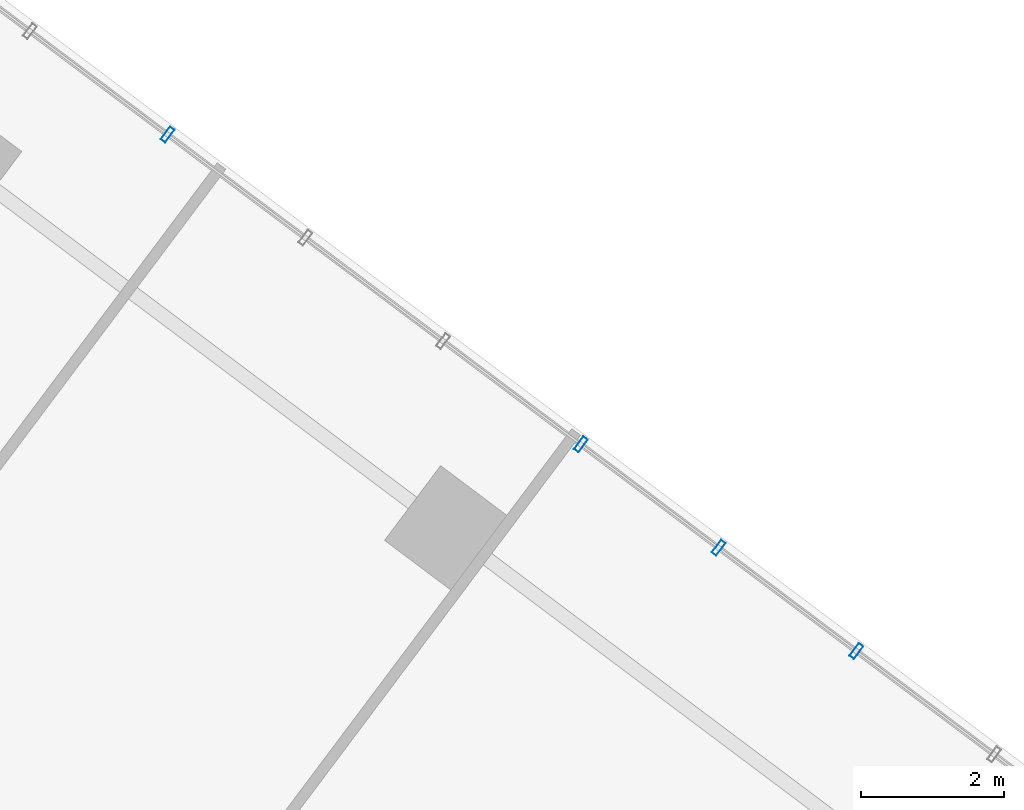
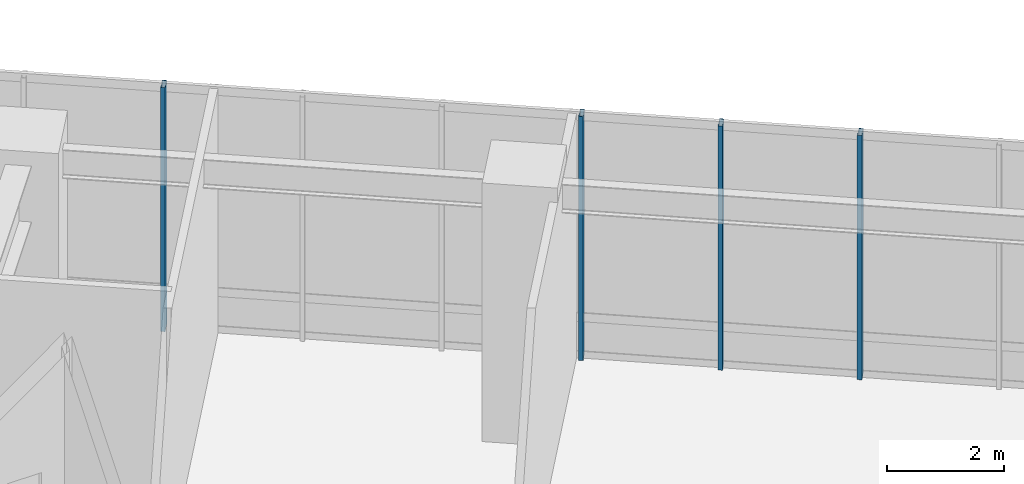
# One storey, part 7 of 35: 4 members, 1 element without a shape of its own.
"""IFC4 building model written with IfcOpenShell, lengths in metres."""

from ifc_helpers import new_model, si_unit, direction, frame, origin, origin_2d, place, context, subcontext, project, spatial, hollow_rectangle, extrude, material, layer, layer_set, material_profile, profile_set, type_object, element, aggregate, save


model = new_model("IFC4")

# Units and contexts
model_context = context("Model", 3, precision=1e-05, world=origin(), true_north=direction((0.0, 1.0)))
body_context = subcontext(model_context, "Body", "Model", "MODEL_VIEW")
ifc_project = project(units=[si_unit("LENGTHUNIT", "METRE"), si_unit("AREAUNIT", "SQUARE_METRE"), si_unit("VOLUMEUNIT", "CUBIC_METRE"), si_unit("PLANEANGLEUNIT", "RADIAN"), si_unit("MASSUNIT", "GRAM", prefix="KILO")], contexts=[model_context])

# Site, building, storey
site_placement = place(None, origin())
site = spatial("IfcSite", under=ifc_project, at=site_placement, CompositionType="ELEMENT")
building_placement = place(site_placement, origin())
building = spatial("IfcBuilding", under=site, at=building_placement, Name="Hatsunagi Terrace Concourse", CompositionType="ELEMENT")
storey_placement = place(building_placement, frame((0.0, 0.0, 16.199951171875)))
storey = spatial("IfcBuildingStorey", under=building, at=storey_placement, Name="L04", CompositionType="ELEMENT", Elevation=16.199951171875)

# Curtain wall, members
ifc_material_1 = material(Name="Anodised Aluminium Alloy 6063-T5", Category="aluminium")
ifc_layer = layer(ifc_material_1, 0.199951171875)
ifc_layer_set = layer_set([ifc_layer], Name="PodiumStorefront_CW01")
curtain_wall_type = type_object("IfcCurtainWallType", Name="PodiumStorefront_CW01", PredefinedType="NOTDEFINED", material=ifc_layer_set)
curtain_wall_placement = place(storey_placement, origin())
curtain_wall = element("IfcCurtainWall", 1, at=curtain_wall_placement, inside=storey, type_object=curtain_wall_type, Name="Unitised Curtain Wall CW-01 CW-L04-01", PredefinedType="NOTDEFINED")
ifc_material_2 = material(Name="Anodised Aluminium Alloy 6063-T5", Category="aluminium")
ifc_material_profile = material_profile(ifc_material_2, hollow_rectangle(XDim=0.080078125, YDim=0.219970703125, WallThickness=0.0048828125, at=origin_2d()), Name="ALU-MUL-220x80x5")
ifc_profile_set = profile_set([ifc_material_profile], Name="Anodised Aluminium Alloy 6063-T5")
member_type = type_object("IfcMemberType", Name="CurtainWallMullion_Heavy_220x80", PredefinedType="MULLION", material=ifc_profile_set)
member_1_placement = place(storey_placement, frame((54.464111328125, 33.527099609375, 0.0), z_axis=(0.0, 0.0, 1.0), x_axis=(0.800007305671, -0.599990258982, 0.0)))
member_1 = element("IfcMember", 2, at=member_1_placement, type_object=member_type, Name="Curtain Wall Mullion MUL-01", PredefinedType="MULLION", context=body_context, shape_type="SweptSolid", body=[
    extrude(hollow_rectangle(XDim=0.080078125, YDim=0.219970703125, WallThickness=0.0048828125, at=origin_2d()), origin(), (0.0, 0.0, 1.0), 5.10009765625),
])
member_2_placement = place(storey_placement, frame((60.22607421875, 29.2060546875, 0.0), z_axis=(0.0, 0.0, 1.0), x_axis=(0.800007305671, -0.599990258982, 0.0)))
member_2 = element("IfcMember", 3, at=member_2_placement, type_object=member_type, Name="Curtain Wall Mullion MUL-01", PredefinedType="MULLION", context=body_context, shape_type="SweptSolid", body=[
    extrude(hollow_rectangle(XDim=0.080078125, YDim=0.219970703125, WallThickness=0.0048828125, at=origin_2d()), origin(), (0.0, 0.0, 1.0), 5.10009765625),
])
member_3_placement = place(storey_placement, frame((62.14697265625, 27.764892578125, 0.0), z_axis=(0.0, 0.0, 1.0), x_axis=(0.800007305671, -0.599990258982, 0.0)))
member_3 = element("IfcMember", 4, at=member_3_placement, type_object=member_type, Name="Curtain Wall Mullion MUL-01", PredefinedType="MULLION", context=body_context, shape_type="SweptSolid", body=[
    extrude(hollow_rectangle(XDim=0.080078125, YDim=0.219970703125, WallThickness=0.0048828125, at=origin_2d()), origin(), (0.0, 0.0, 1.0), 5.10009765625),
])
member_4_placement = place(storey_placement, frame((64.068115234375, 26.324951171875, 0.0), z_axis=(0.0, 0.0, 1.0), x_axis=(0.800007305671, -0.599990258982, 0.0)))
member_4 = element("IfcMember", 5, at=member_4_placement, type_object=member_type, Name="Curtain Wall Mullion MUL-01", PredefinedType="MULLION", context=body_context, shape_type="SweptSolid", body=[
    extrude(hollow_rectangle(XDim=0.080078125, YDim=0.219970703125, WallThickness=0.0048828125, at=origin_2d()), origin(), (0.0, 0.0, 1.0), 5.10009765625),
])
aggregate(curtain_wall, [member_1, member_2, member_3, member_4])

save(model, "model.ifc")
